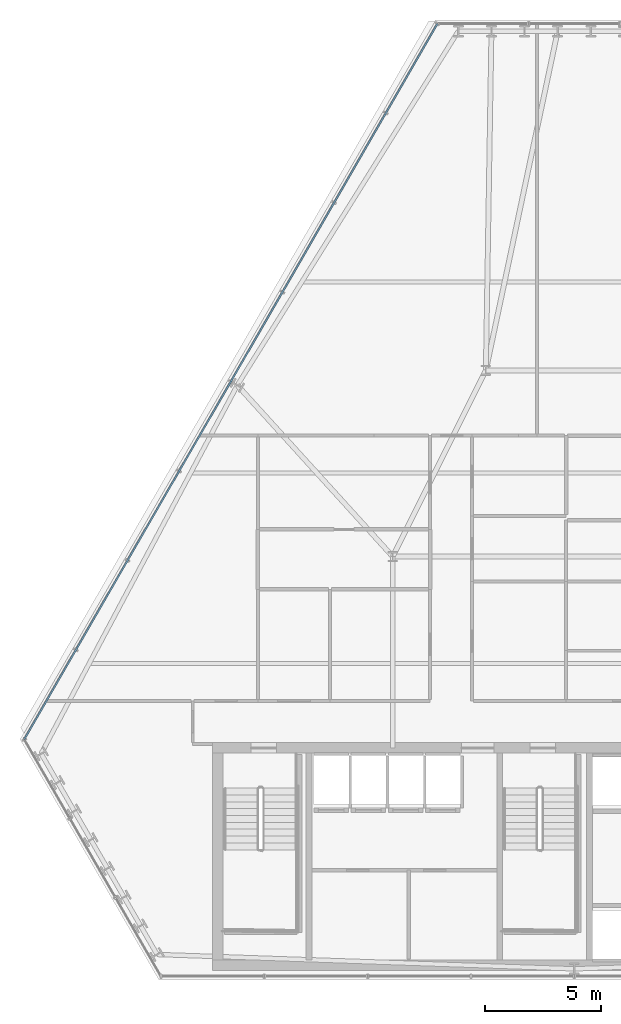
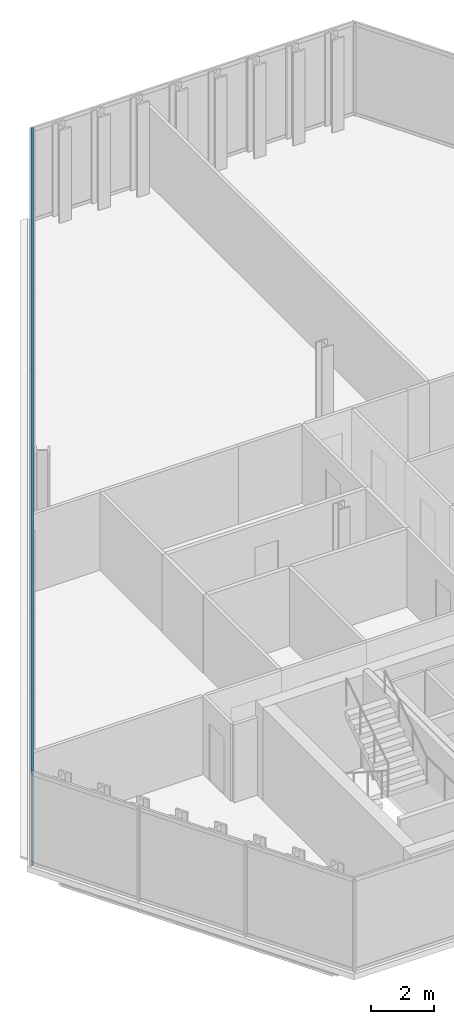
# One storey, part 12 of 31: 2 members, 1 element without a shape of its own.
"""IFC4 building model written with IfcOpenShell, lengths in metres."""

from ifc_helpers import new_model, si_unit, direction, frame, origin, origin_2d, place, context, subcontext, project, spatial, hollow_rectangle, extrude, material, layer, layer_set, material_profile, profile_set, type_object, element, aggregate, save


model = new_model("IFC4")

# Units and contexts
model_context = context("Model", 3, precision=1e-05, world=origin(), true_north=direction((0.0, 1.0)))
body_context = subcontext(model_context, "Body", "Model", "MODEL_VIEW")
ifc_project = project(units=[si_unit("LENGTHUNIT", "METRE"), si_unit("AREAUNIT", "SQUARE_METRE"), si_unit("VOLUMEUNIT", "CUBIC_METRE"), si_unit("PLANEANGLEUNIT", "RADIAN"), si_unit("MASSUNIT", "GRAM", prefix="KILO")], contexts=[model_context])

# Site, building, storey
site_placement = place(None, origin())
site = spatial("IfcSite", under=ifc_project, at=site_placement, CompositionType="ELEMENT")
building_placement = place(site_placement, origin())
building = spatial("IfcBuilding", under=site, at=building_placement, Name="Ndaravel Arena Tower", CompositionType="ELEMENT")
storey_placement = place(building_placement, frame((0.0, 0.0, 138.39990234375)))
storey = spatial("IfcBuildingStorey", under=building, at=storey_placement, Name="L32", CompositionType="ELEMENT", Elevation=138.39990234375)

# Curtain wall, members
ifc_material_1 = material(Name="Aluminium", Category="aluminium")
ifc_layer = layer(ifc_material_1, 0.179931640625)
ifc_layer_set = layer_set([ifc_layer], Name="Aluminium")
curtain_wall_type = type_object("IfcCurtainWallType", Name="CW-SYS-03", PredefinedType="NOTDEFINED", material=ifc_layer_set)
curtain_wall_placement = place(storey_placement, origin())
curtain_wall = element("IfcCurtainWall", 1, at=curtain_wall_placement, inside=storey, type_object=curtain_wall_type, Name="L32 Faceted Crystal Curtain Wall CW-L32-E05", PredefinedType="NOTDEFINED")
ifc_material_2 = material(Name="Aluminium", Category="aluminium")
ifc_material_profile = material_profile(ifc_material_2, hollow_rectangle(XDim=0.074951171875, YDim=0.14990234375, WallThickness=0.00390625, at=origin_2d()), Name="CW TRANSOM 75x150x4")
ifc_profile_set = profile_set([ifc_material_profile], Name="Aluminium")
member_type = type_object("IfcMemberType", Name="MEM-CW-TRN150", PredefinedType="USERDEFINED", material=ifc_profile_set)
member_1_placement = place(storey_placement, frame((36.12060546875, 46.10498046875, 0.0400390625), z_axis=(-0.499994154718, -0.866028778533, 0.0), x_axis=(0.866028778533, -0.499994154718, 0.0)))
member_1 = element("IfcMember", 2, at=member_1_placement, type_object=member_type, Name="CW-L32-E05 Transom 01", ObjectType="TRANSOM", PredefinedType="USERDEFINED", context=body_context, shape_type="SweptSolid", body=[
    extrude(hollow_rectangle(XDim=0.074951171875, YDim=0.14990234375, WallThickness=0.00390625, at=origin_2d()), origin(), (0.0, 0.0, 1.0), 35.5205078125),
])
member_2_placement = place(storey_placement, frame((36.12060546875, 46.10498046875, 3.5400390625), z_axis=(-0.499994154718, -0.866028778533, 0.0), x_axis=(0.866028778533, -0.499994154718, 0.0)))
member_2 = element("IfcMember", 3, at=member_2_placement, type_object=member_type, Name="CW-L32-E05 Transom 02", ObjectType="TRANSOM", PredefinedType="USERDEFINED", context=body_context, shape_type="SweptSolid", body=[
    extrude(hollow_rectangle(XDim=0.074951171875, YDim=0.14990234375, WallThickness=0.00390625, at=origin_2d()), origin(), (0.0, 0.0, 1.0), 35.5205078125),
])
aggregate(curtain_wall, [member_1, member_2])

save(model, "model.ifc")
